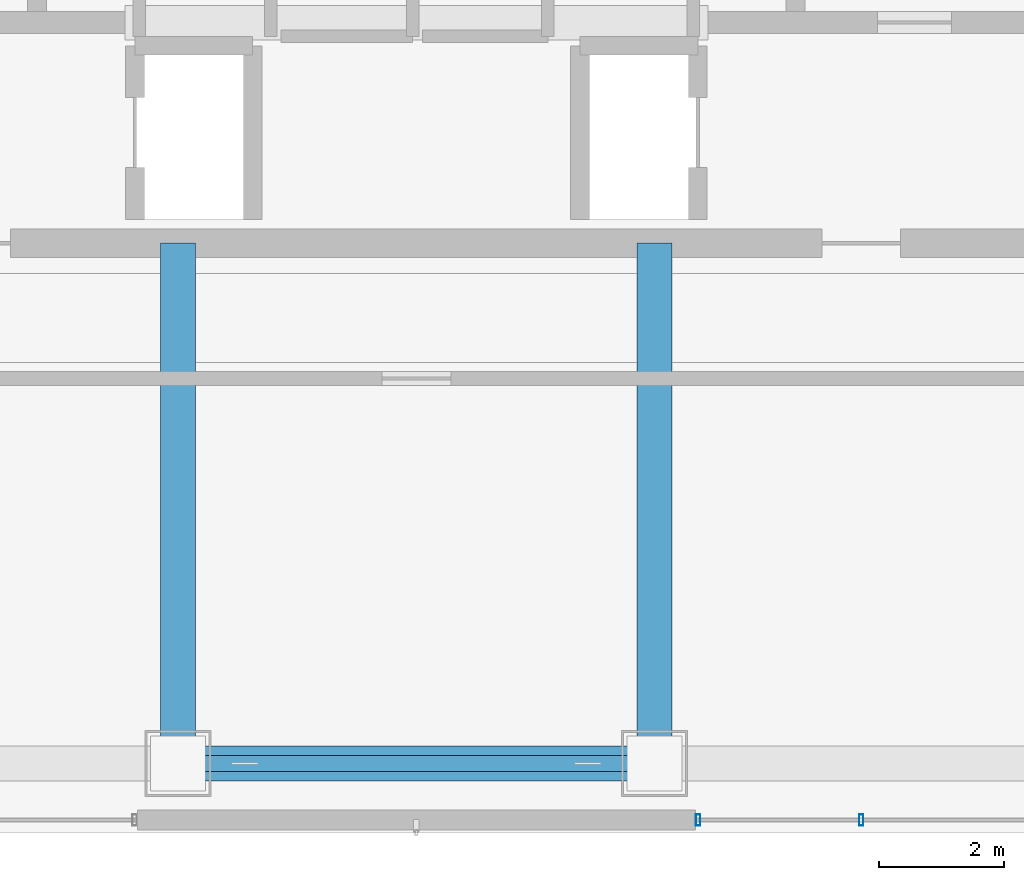
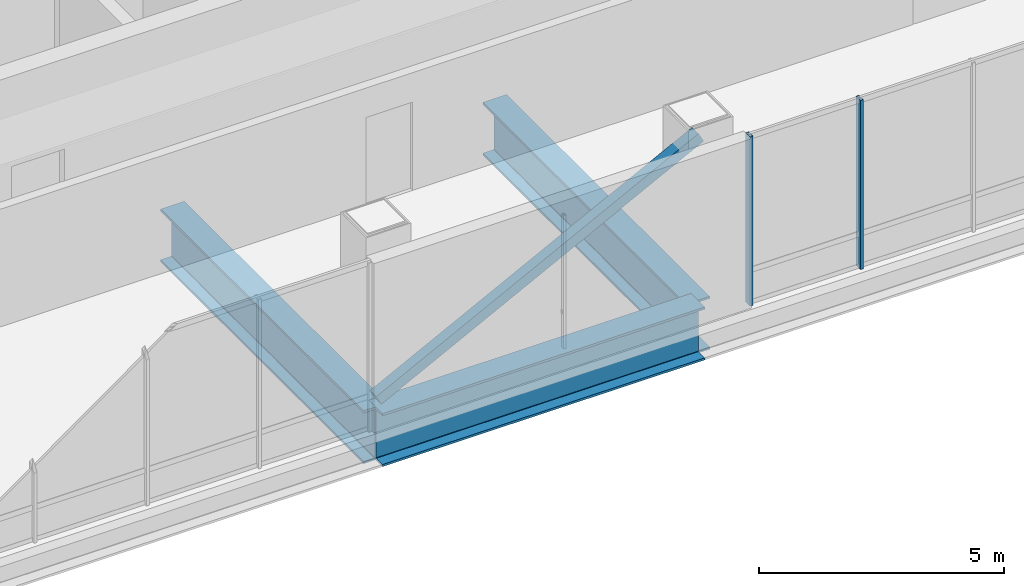
# One storey, part 6 of 33: 3 beams, 3 members, 1 element without a shape of its own.
"""IFC4 building model written with IfcOpenShell, lengths in metres."""

from ifc_helpers import new_model, si_unit, direction, frame, origin, origin_2d, place, context, subcontext, project, spatial, hollow_rectangle, i_section, extrude, material, material_profile, profile_set, type_object, element, aggregate, save


model = new_model("IFC4")

# Units and contexts
model_context = context("Model", 3, precision=1e-05, world=origin(), true_north=direction((0.0, 1.0)))
body_context = subcontext(model_context, "Body", "Model", "MODEL_VIEW")
ifc_project = project(units=[si_unit("LENGTHUNIT", "METRE"), si_unit("AREAUNIT", "SQUARE_METRE"), si_unit("VOLUMEUNIT", "CUBIC_METRE"), si_unit("PLANEANGLEUNIT", "RADIAN"), si_unit("MASSUNIT", "GRAM", prefix="KILO")], contexts=[model_context])

# Site, building, storey
site_placement = place(None, origin())
site = spatial("IfcSite", under=ifc_project, at=site_placement, CompositionType="ELEMENT")
building_placement = place(site_placement, origin())
building = spatial("IfcBuilding", under=site, at=building_placement, Name="Punatoya Terracotta Tower", CompositionType="ELEMENT")
storey_placement = place(building_placement, frame((0.0, 0.0, 348.300048828125)))
storey = spatial("IfcBuildingStorey", under=building, at=storey_placement, Name="L82", CompositionType="ELEMENT", Elevation=348.300048828125)

# Beams
ifc_material_1 = material(Name="Steel S460", Category="steel")
ifc_material_profile_1 = material_profile(ifc_material_1, i_section(OverallWidth=0.56005859375, OverallDepth=1.320068359375, WebThickness=0.035888671875, FlangeThickness=0.054931640625, FilletRadius=0.01806640625, at=origin_2d()))
ifc_profile_set_1 = profile_set([ifc_material_profile_1], Name="Steel S460")
beam_type = type_object("IfcBeamType", Name="BM-TG-BLK", PredefinedType="BEAM", material=ifc_profile_set_1)
beam_placement = place(storey_placement, frame((-3.800048828125, -17.5, -0.880126953125), z_axis=(1.0, 0.0, 0.0), x_axis=(0.0, 1.0, 0.0)))
element("IfcBeam", 1, at=beam_placement, inside=storey, type_object=beam_type, Name="BM-L82-RG-S2", PredefinedType="BEAM", context=body_context, shape_type="SweptSolid", body=[
    extrude(i_section(OverallWidth=0.56005859375, OverallDepth=1.320068359375, WebThickness=0.035888671875, FlangeThickness=0.054931640625, FilletRadius=0.01806640625, at=origin_2d()), origin(), (0.0, 0.0, 1.0), 7.60009765625),
])
for number, where, z_axis, x_axis, name in (
    (2, (-3.800048828125, -17.5, -0.880126953125), (0.0, 1.0, 0.0), (-1.0, 0.0, 0.0), "BM-L82-PR-S2"),
    (3, (3.800048828125, -17.5, -0.880126953125), (0.0, 1.0, 0.0), (-1.0, 0.0, 0.0), "BM-L82-PR-S3"),
):
    element("IfcBeam", number, at=place(storey_placement, frame(where, z_axis=z_axis, x_axis=x_axis)), inside=storey, type_object=beam_type, Name=name, PredefinedType="BEAM", context=body_context, shape_type="SweptSolid", body=[
        extrude(i_section(OverallWidth=0.56005859375, OverallDepth=1.320068359375, WebThickness=0.035888671875, FlangeThickness=0.054931640625, FilletRadius=0.01806640625, at=origin_2d()), origin(), (0.0, 0.0, 1.0), 8.300048828125),
    ])

# Curtain wall, members
ifc_material_2 = material(Name="Aluminium 6063-T6 + Double Low-E Glass", Category="aluminium")
curtain_wall_type = type_object("IfcCurtainWallType", Name="CW-CRN", PredefinedType="NOTDEFINED", material=ifc_material_2)
curtain_wall_placement = place(storey_placement, origin())
curtain_wall = element("IfcCurtainWall", 4, at=curtain_wall_placement, inside=storey, type_object=curtain_wall_type, Name="L82 Curtain Wall CW-L82-S01-2", PredefinedType="NOTDEFINED")
ifc_material_3 = material(Name="Aluminium 6063-T6", Category="aluminium")
ifc_material_profile_2 = material_profile(ifc_material_3, hollow_rectangle(XDim=0.070068359375, YDim=0.179931640625, WallThickness=0.00390625, at=origin_2d()))
ifc_profile_set_2 = profile_set([ifc_material_profile_2], Name="Aluminium 6063-T6")
member_type_1 = type_object("IfcMemberType", Name="CW-MUL-M3", PredefinedType="MULLION", material=ifc_profile_set_2)
member_1_placement = place(storey_placement, frame((4.4951171875, -18.39990234375, 0.0), z_axis=(0.0, 0.0, 1.0), x_axis=(1.0, 0.0, 0.0)))
member_1 = element("IfcMember", 5, at=member_1_placement, type_object=member_type_1, Name="CW-L82-S01-2 Mullion 00", PredefinedType="MULLION", context=body_context, shape_type="SweptSolid", body=[
    extrude(hollow_rectangle(XDim=0.070068359375, YDim=0.179931640625, WallThickness=0.00390625, at=origin_2d()), origin(), (0.0, 0.0, 1.0), 4.219970703125),
])
member_2_placement = place(storey_placement, frame((7.097412109375, -18.39990234375, 0.0), z_axis=(0.0, 0.0, 1.0), x_axis=(1.0, 0.0, 0.0)))
member_2 = element("IfcMember", 6, at=member_2_placement, type_object=member_type_1, Name="CW-L82-S01-2 Mullion 01", PredefinedType="MULLION", context=body_context, shape_type="SweptSolid", body=[
    extrude(hollow_rectangle(XDim=0.070068359375, YDim=0.179931640625, WallThickness=0.00390625, at=origin_2d()), origin(), (0.0, 0.0, 1.0), 4.219970703125),
])
aggregate(curtain_wall, [member_1, member_2])

# Member
ifc_material_4 = material(Name="Steel S355", Category="steel")
ifc_material_profile_3 = material_profile(ifc_material_4, hollow_rectangle(XDim=0.260009765625, YDim=0.260009765625, WallThickness=0.013916015625, at=origin_2d()))
ifc_profile_set_3 = profile_set([ifc_material_profile_3], Name="Steel S355")
member_type_2 = type_object("IfcMemberType", Name="MEM-CRN-260", PredefinedType="BRACE", material=ifc_profile_set_3)
member_3_placement = place(storey_placement, frame((-3.800048828125, -17.5, 0.02001953125), z_axis=(0.889702578103, 0.0, 0.456540603361), x_axis=(0.0, 1.0, 0.0)))
element("IfcMember", 7, at=member_3_placement, inside=storey, type_object=member_type_2, Name="L82 Crown Frame Wind Brace S", PredefinedType="BRACE", context=body_context, shape_type="SweptSolid", body=[
    extrude(hollow_rectangle(XDim=0.260009765625, YDim=0.260009765625, WallThickness=0.013916015625, at=origin_2d()), origin(), (0.0, 0.0, 1.0), 8.542236328125),
])

save(model, "model.ifc")
